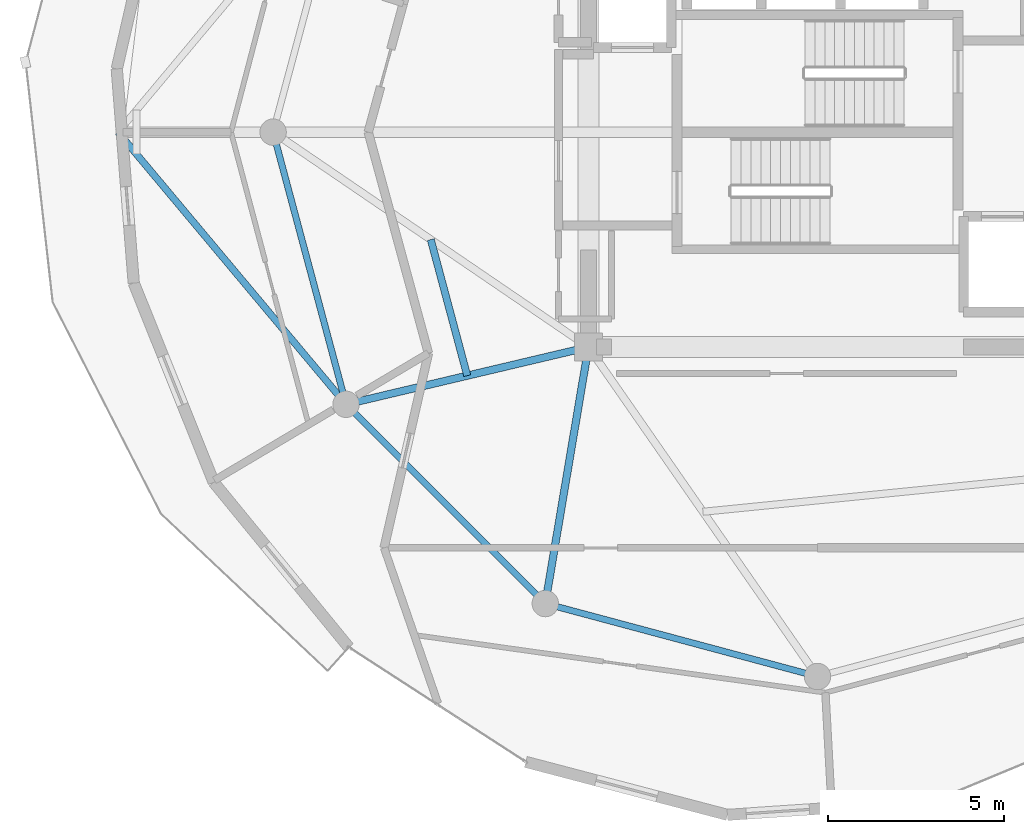
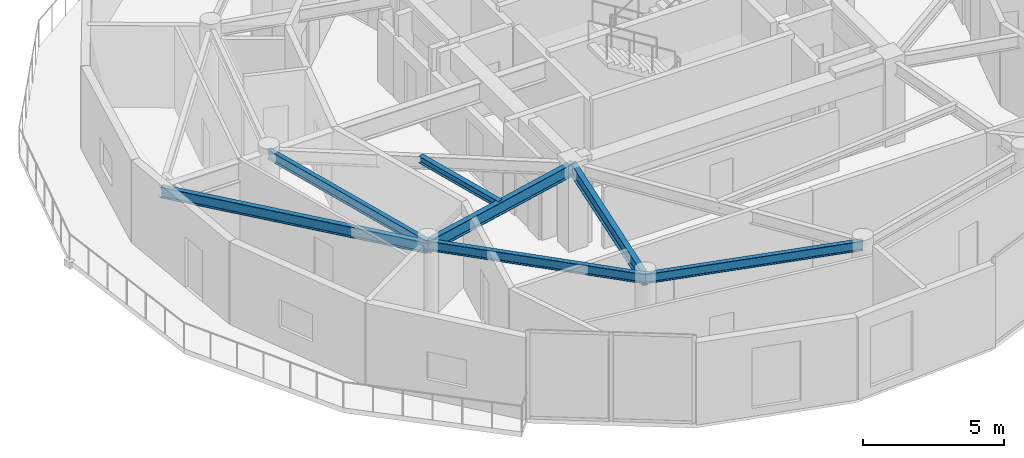
# One storey, part 3 of 17: 7 beams.
"""IFC4 building model written with IfcOpenShell, lengths in metres."""

from ifc_helpers import new_model, si_unit, direction, frame, origin, origin_2d, place, context, subcontext, project, spatial, i_section, extrude, material, material_profile, profile_set, type_object, element, save


model = new_model("IFC4")

# Units and contexts
model_context = context("Model", 3, precision=1e-05, world=origin(), true_north=direction((0.0, 1.0)))
body_context = subcontext(model_context, "Body", "Model", "MODEL_VIEW")
ifc_project = project(units=[si_unit("LENGTHUNIT", "METRE"), si_unit("AREAUNIT", "SQUARE_METRE"), si_unit("VOLUMEUNIT", "CUBIC_METRE"), si_unit("PLANEANGLEUNIT", "RADIAN"), si_unit("MASSUNIT", "GRAM", prefix="KILO")], contexts=[model_context])

# Site, building, storey
site_placement = place(None, origin())
site = spatial("IfcSite", under=ifc_project, at=site_placement, CompositionType="ELEMENT")
building_placement = place(site_placement, origin())
building = spatial("IfcBuilding", under=site, at=building_placement, Name="Solvirekh Grand Hotel", CompositionType="ELEMENT")
storey_placement = place(building_placement, frame((0.0, 0.0, 246.800048828125)))
storey = spatial("IfcBuildingStorey", under=building, at=storey_placement, Name="L64", CompositionType="ELEMENT", Elevation=246.800048828125)

# Beams
ifc_material = material(Name="Steel S355", Category="steel")
ifc_material_profile_1 = material_profile(ifc_material, i_section(OverallWidth=0.194091796875, OverallDepth=0.468994140625, WebThickness=0.010986328125, FlangeThickness=0.01904296875, FilletRadius=0.012939453125, at=origin_2d()), Name="W460X106")
ifc_profile_set_1 = profile_set([ifc_material_profile_1], Name="Steel S355")
beam_type_1 = type_object("IfcBeamType", Name="Beam_Radial_W460H", PredefinedType="BEAM", material=ifc_profile_set_1)
beam_1_placement = place(storey_placement, frame((-13.3798828125, -7.72509765625, 3.2548828125), z_axis=(-0.642093659712, 0.766626201064, 0.0), x_axis=(-0.766626201064, -0.642093659712, 0.0)))
element("IfcBeam", 1, at=beam_1_placement, inside=storey, type_object=beam_type_1, Name="L65 sky-garden edge tie beam 2", PredefinedType="BEAM", context=body_context, shape_type="SweptSolid", body=[
    extrude(i_section(OverallWidth=0.194091796875, OverallDepth=0.468994140625, WebThickness=0.010986328125, FlangeThickness=0.01904296875, FilletRadius=0.012939453125, at=origin_2d()), origin(), (0.0, 0.0, 1.0), 10.07666015625),
])
ifc_material_profile_2 = material_profile(ifc_material, i_section(OverallWidth=0.2119140625, OverallDepth=0.5439453125, WebThickness=0.011962890625, FlangeThickness=0.01904296875, FilletRadius=0.013916015625, at=origin_2d()), Name="W530X123")
ifc_profile_set_2 = profile_set([ifc_material_profile_2], Name="Steel S355")
beam_type_2 = type_object("IfcBeamType", Name="Beam_Radial_W530H", PredefinedType="BEAM", material=ifc_profile_set_2)
beam_2_placement = place(storey_placement, frame((-6.5, -6.10009765625, 3.2978515625), z_axis=(-0.973221147544, -0.229870828888, 0.0), x_axis=(0.229870828888, -0.973221147544, 0.0)))
element("IfcBeam", 2, at=beam_2_placement, inside=storey, type_object=beam_type_2, Name="L64 radial floor beam R08", PredefinedType="BEAM", context=body_context, shape_type="SweptSolid", body=[
    extrude(i_section(OverallWidth=0.2119140625, OverallDepth=0.5439453125, WebThickness=0.011962890625, FlangeThickness=0.01904296875, FilletRadius=0.013916015625, at=origin_2d()), origin(), (0.0, 0.0, 1.0), 7.069091796875),
])
beam_3_placement = place(storey_placement, frame((-6.5, -6.10009765625, 3.2978515625), z_axis=(-0.165954049106, -0.986133486697, 0.0), x_axis=(0.986133486697, -0.165954049106, 0.0)))
element("IfcBeam", 3, at=beam_3_placement, inside=storey, type_object=beam_type_2, Name="L64 radial floor beam R09", PredefinedType="BEAM", context=body_context, shape_type="SweptSolid", body=[
    extrude(i_section(OverallWidth=0.2119140625, OverallDepth=0.5439453125, WebThickness=0.011962890625, FlangeThickness=0.01904296875, FilletRadius=0.013916015625, at=origin_2d()), origin(), (0.0, 0.0, 1.0), 7.382080078125),
])
ifc_material_profile_3 = material_profile(ifc_material, i_section(OverallWidth=0.202880859375, OverallDepth=0.302978515625, WebThickness=0.008056640625, FlangeThickness=0.012939453125, FilletRadius=0.010009765625, at=origin_2d()), Name="W310X60")
ifc_profile_set_3 = profile_set([ifc_material_profile_3], Name="Steel S355")
beam_type_3 = type_object("IfcBeamType", Name="Joist_Floor_W310", PredefinedType="JOIST", material=ifc_profile_set_3)
beam_4_placement = place(storey_placement, frame((-10.97509765625, -3.050048828125, 3.4189453125), z_axis=(0.258893772796, -0.965905799966, 0.0), x_axis=(0.965905799966, 0.258893772796, 0.0)))
element("IfcBeam", 4, at=beam_4_placement, inside=storey, type_object=beam_type_3, Name="L64 secondary composite floor joist 7", PredefinedType="JOIST", context=body_context, shape_type="SweptSolid", body=[
    extrude(i_section(OverallWidth=0.202880859375, OverallDepth=0.302978515625, WebThickness=0.008056640625, FlangeThickness=0.012939453125, FilletRadius=0.010009765625, at=origin_2d()), origin(), (0.0, 0.0, 1.0), 3.998291015625),
])
ifc_material_profile_4 = material_profile(ifc_material, i_section(OverallWidth=0.180908203125, OverallDepth=0.4169921875, WebThickness=0.010009765625, FlangeThickness=0.01611328125, FilletRadius=0.011962890625, at=origin_2d()), Name="W410X85")
ifc_profile_set_4 = profile_set([ifc_material_profile_4], Name="Steel S355")
beam_type_4 = type_object("IfcBeamType", Name="Spandrel_Ring_W410", PredefinedType="SPANDREL", material=ifc_profile_set_4)
beam_5_placement = place(storey_placement, frame((-15.449951171875, 0.0, 3.362060546875), z_axis=(0.258834757072, -0.965921616143, 0.0), x_axis=(0.965921616143, 0.258834757072, 0.0)))
element("IfcBeam", 5, at=beam_5_placement, inside=storey, type_object=beam_type_4, Name="L64 perimeter spandrel beam 7", PredefinedType="SPANDREL", context=body_context, shape_type="SweptSolid", body=[
    extrude(i_section(OverallWidth=0.180908203125, OverallDepth=0.4169921875, WebThickness=0.010009765625, FlangeThickness=0.01611328125, FilletRadius=0.011962890625, at=origin_2d()), origin(), (0.0, 0.0, 1.0), 7.99755859375),
])
beam_6_placement = place(storey_placement, frame((-13.3798828125, -7.72509765625, 3.362060546875), z_axis=(0.707106781187, -0.707106781187, 0.0), x_axis=(0.707106781187, 0.707106781187, 0.0)))
element("IfcBeam", 6, at=beam_6_placement, inside=storey, type_object=beam_type_4, Name="L64 perimeter spandrel beam 8", PredefinedType="SPANDREL", context=body_context, shape_type="SweptSolid", body=[
    extrude(i_section(OverallWidth=0.180908203125, OverallDepth=0.4169921875, WebThickness=0.010009765625, FlangeThickness=0.01611328125, FilletRadius=0.011962890625, at=origin_2d()), origin(), (0.0, 0.0, 1.0), 7.9970703125),
])
beam_7_placement = place(storey_placement, frame((-7.72509765625, -13.3798828125, 3.362060546875), z_axis=(0.965921616143, -0.258834757072, 0.0), x_axis=(0.258834757072, 0.965921616143, 0.0)))
element("IfcBeam", 7, at=beam_7_placement, inside=storey, type_object=beam_type_4, Name="L64 perimeter spandrel beam 9", PredefinedType="SPANDREL", context=body_context, shape_type="SweptSolid", body=[
    extrude(i_section(OverallWidth=0.180908203125, OverallDepth=0.4169921875, WebThickness=0.010009765625, FlangeThickness=0.01611328125, FilletRadius=0.011962890625, at=origin_2d()), origin(), (0.0, 0.0, 1.0), 7.99755859375),
])

save(model, "model.ifc")
